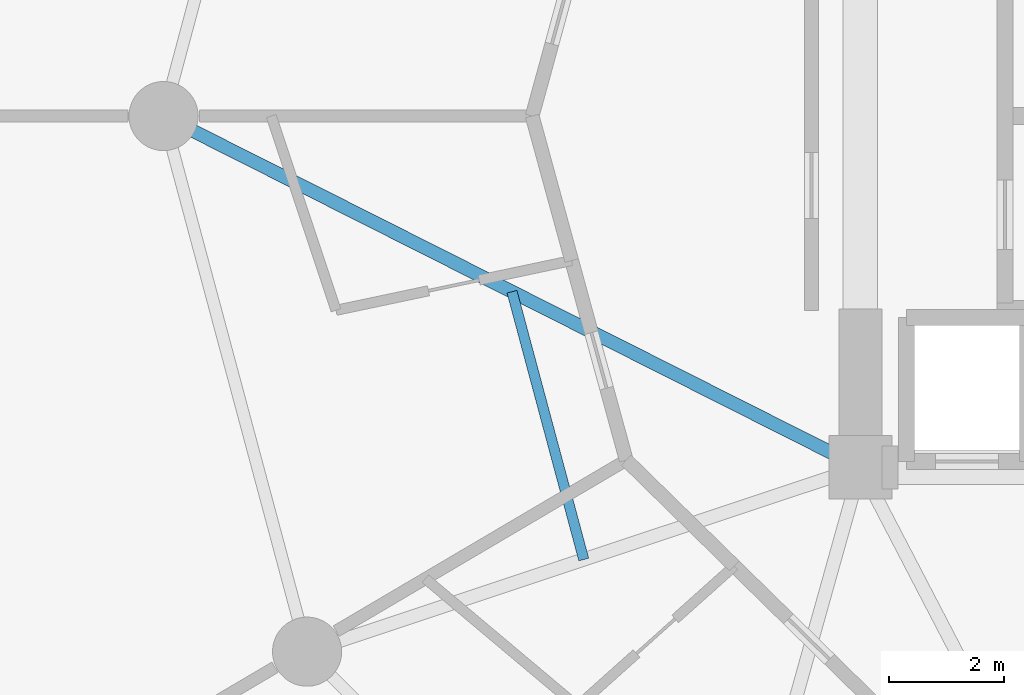
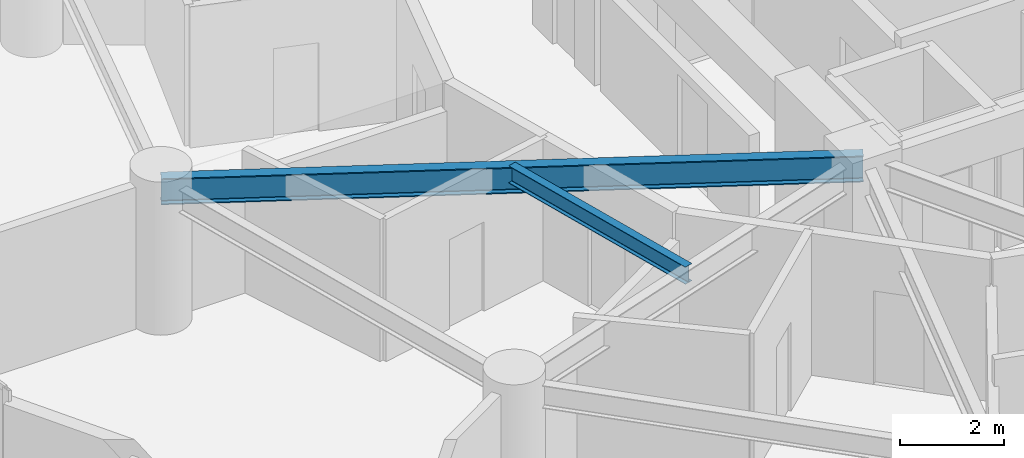
# One storey, part 5 of 26: 2 beams.
"""IFC4 building model written with IfcOpenShell, lengths in metres."""

from ifc_helpers import new_model, si_unit, direction, frame, origin, origin_2d, place, context, subcontext, project, spatial, i_section, extrude, material, material_profile, profile_set, type_object, element, save


model = new_model("IFC4")

# Units and contexts
model_context = context("Model", 3, precision=1e-05, world=origin(), true_north=direction((0.0, 1.0)))
body_context = subcontext(model_context, "Body", "Model", "MODEL_VIEW")
ifc_project = project(units=[si_unit("LENGTHUNIT", "METRE"), si_unit("AREAUNIT", "SQUARE_METRE"), si_unit("VOLUMEUNIT", "CUBIC_METRE"), si_unit("PLANEANGLEUNIT", "RADIAN"), si_unit("MASSUNIT", "GRAM", prefix="KILO")], contexts=[model_context])

# Site, building, storey
site_placement = place(None, origin())
site = spatial("IfcSite", under=ifc_project, at=site_placement, CompositionType="ELEMENT")
building_placement = place(site_placement, origin())
building = spatial("IfcBuilding", under=site, at=building_placement, Name="Solvirekh Grand Hotel", CompositionType="ELEMENT")
storey_placement = place(building_placement, frame((0.0, 0.0, 32.0)))
storey = spatial("IfcBuildingStorey", under=building, at=storey_placement, Name="L06", CompositionType="ELEMENT", Elevation=32.0)

# Beams
ifc_material = material(Name="Steel S355", Category="steel")
ifc_material_profile_1 = material_profile(ifc_material, i_section(OverallWidth=0.22998046875, OverallDepth=0.615966796875, WebThickness=0.013916015625, FlangeThickness=0.02392578125, FilletRadius=0.014892578125, at=origin_2d()), Name="W610X174")
ifc_profile_set_1 = profile_set([ifc_material_profile_1], Name="Steel S355")
beam_type_1 = type_object("IfcBeamType", Name="Beam_Primary_W610H", PredefinedType="BEAM", material=ifc_profile_set_1)
beam_1_placement = place(storey_placement, frame((-6.5, -6.10009765625, 3.031982421875), z_axis=(-0.892944939011, 0.450165898191, 0.0), x_axis=(-0.450165898191, -0.892944939011, 0.0)))
element("IfcBeam", 1, at=beam_1_placement, inside=storey, type_object=beam_type_1, Name="L06 radial floor beam R07", PredefinedType="BEAM", context=body_context, shape_type="SweptSolid", body=[
    extrude(i_section(OverallWidth=0.22998046875, OverallDepth=0.615966796875, WebThickness=0.013916015625, FlangeThickness=0.02392578125, FilletRadius=0.014892578125, at=origin_2d()), origin(), (0.0, 0.0, 1.0), 13.55078125),
])
ifc_material_profile_2 = material_profile(ifc_material, i_section(OverallWidth=0.177978515625, OverallDepth=0.406982421875, WebThickness=0.008056640625, FlangeThickness=0.011962890625, FilletRadius=0.011962890625, at=origin_2d()), Name="W410X60")
ifc_profile_set_2 = profile_set([ifc_material_profile_2], Name="Steel S355")
beam_type_2 = type_object("IfcBeamType", Name="Joist_Floor_W410", PredefinedType="JOIST", material=ifc_profile_set_2)
beam_2_placement = place(storey_placement, frame((-12.550048828125, -3.050048828125, 3.136962890625), z_axis=(0.258849313227, -0.965917715461, 0.0), x_axis=(0.965917715461, 0.258849313227, 0.0)))
element("IfcBeam", 2, at=beam_2_placement, inside=storey, type_object=beam_type_2, Name="L06 secondary composite floor joist 7", PredefinedType="JOIST", context=body_context, shape_type="SweptSolid", body=[
    extrude(i_section(OverallWidth=0.177978515625, OverallDepth=0.406982421875, WebThickness=0.008056640625, FlangeThickness=0.011962890625, FilletRadius=0.011962890625, at=origin_2d()), origin(), (0.0, 0.0, 1.0), 4.81396484375),
])

save(model, "model.ifc")
